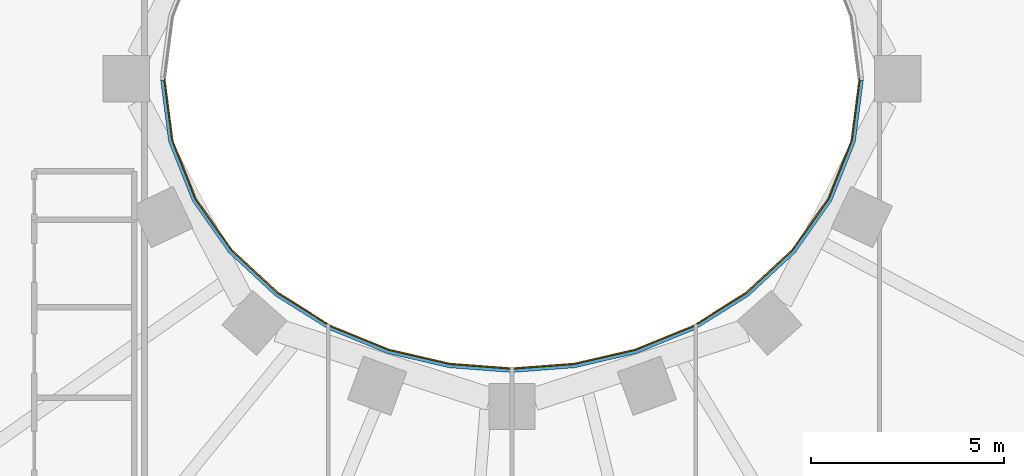
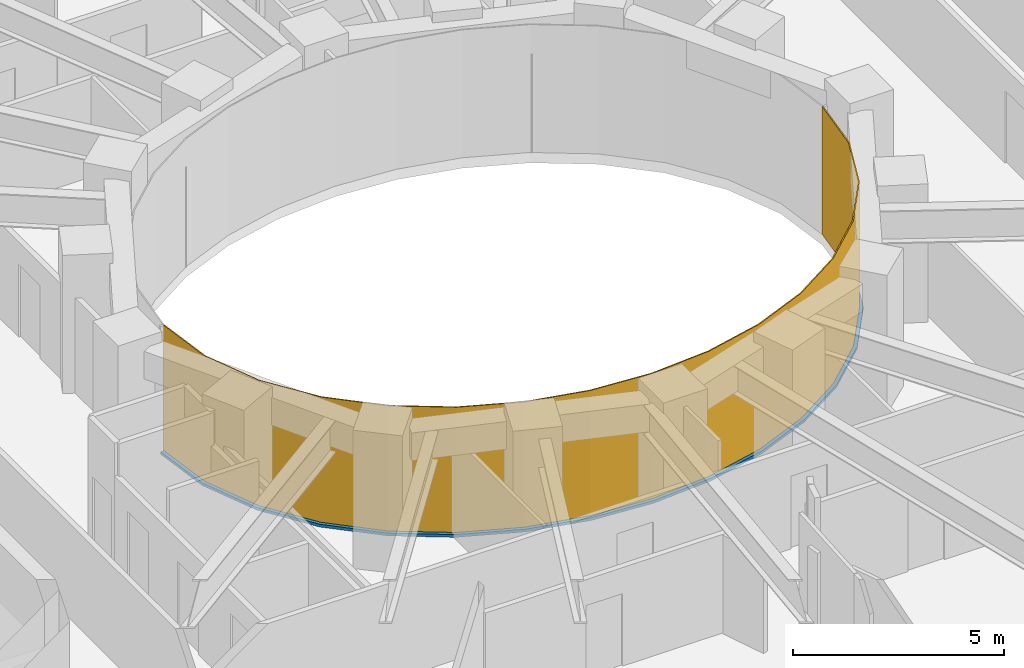
# One storey, part 11 of 20: 1 curtain wall, 1 member.
"""IFC4 building model written with IfcOpenShell, lengths in metres."""

from ifc_helpers import new_model, si_unit, direction, frame, origin, place, context, subcontext, project, spatial, polyline, outline, extrude, material, layer, layer_set, type_object, element, aggregate, save


model = new_model("IFC4")

# Units and contexts
model_context = context("Model", 3, precision=1e-05, world=origin(), true_north=direction((0.0, 1.0)))
body_context = subcontext(model_context, "Body", "Model", "MODEL_VIEW")
ifc_project = project(units=[si_unit("LENGTHUNIT", "METRE"), si_unit("AREAUNIT", "SQUARE_METRE"), si_unit("VOLUMEUNIT", "CUBIC_METRE"), si_unit("PLANEANGLEUNIT", "RADIAN"), si_unit("MASSUNIT", "GRAM", prefix="KILO")], contexts=[model_context])

# Member
ifc_material_1 = material(Name="Steel S355 fire-resisting frame", Category="steel")
member_type = type_object("IfcMemberType", Name="ENV-TRANSOM-W", PredefinedType="USERDEFINED", material=ifc_material_1)
site_placement = place(None, origin())
building_placement = place(site_placement, origin())
storey_placement = place(building_placement, frame((0.0, 0.0, 88.0)))
member_placement = place(storey_placement, origin())
member = element("IfcMember", 1, at=member_placement, type_object=member_type, Name="Transom W well 17-01", ObjectType="TRANSOM", PredefinedType="USERDEFINED", context=body_context, shape_type="SweptSolid", body=[
    extrude(outline(polyline([(-9.119384765625, -0.02783203125), (-8.910400390625, -1.63623046875), (-8.29833984375, -3.167236328125), (-7.35107421875, -4.5146484375), (-6.1455078125, -5.6337890625), (-4.75341796875, -6.50634765625), (-3.233642578125, -7.127685546875), (-1.635498046875, -7.498779296875), (0.0, -7.622314453125), (1.635498046875, -7.498779296875), (3.233642578125, -7.127685546875), (4.75341796875, -6.50634765625), (6.1455078125, -5.6337890625), (7.35107421875, -4.5146484375), (8.29833984375, -3.167236328125), (8.910400390625, -1.63623046875), (9.119384765625, -0.02783203125), (9.02880859375, -0.02783203125), (8.822509765625, -1.61328125), (8.21875, -3.124267578125), (7.282958984375, -4.455078125), (6.090576171875, -5.56201171875), (4.712158203125, -6.426025390625), (3.206298828125, -7.04150390625), (1.621826171875, -7.40966796875), (0.0, -7.531982421875), (-1.621826171875, -7.40966796875), (-3.206298828125, -7.04150390625), (-4.712158203125, -6.426025390625), (-6.090576171875, -5.56201171875), (-7.282958984375, -4.455078125), (-8.21875, -3.124267578125), (-8.822509765625, -1.61328125), (-9.02880859375, -0.02783203125), (-9.119384765625, -0.02783203125)])), origin(), (0.0, 0.0, 1.0), 0.080078125),
])

# Site, building, storey
site = spatial("IfcSite", under=ifc_project, at=site_placement, CompositionType="ELEMENT")
building = spatial("IfcBuilding", under=site, at=building_placement, Name="Noorbagh Ring Tower", CompositionType="ELEMENT")
storey = spatial("IfcBuildingStorey", under=building, at=storey_placement, Name="L19", CompositionType="ELEMENT", Elevation=88.0)

# Curtain wall
ifc_material_2 = material(Name="Glass fire-resisting E60 laminated", Category="glass")
ifc_layer = layer(ifc_material_2, 0.031982421875)
ifc_layer_set = layer_set([ifc_layer], Name="Glass fire-resisting E60 laminated")
curtain_wall_type = type_object("IfcCurtainWallType", Name="ENV-CW-W", PredefinedType="NOTDEFINED", material=ifc_layer_set)
curtain_wall_placement = place(storey_placement, origin())
curtain_wall = element("IfcCurtainWall", 2, at=curtain_wall_placement, inside=storey, type_object=curtain_wall_type, Name="Curtain wall W W17", PredefinedType="NOTDEFINED", context=body_context, shape_type="SweptSolid", body=[
    extrude(outline(polyline([(-9.0322265625, 0.0), (-8.822509765625, -1.61328125), (-8.21875, -3.124267578125), (-7.282958984375, -4.455078125), (-6.090576171875, -5.56201171875), (-4.712158203125, -6.426025390625), (-3.206298828125, -7.04150390625), (-1.621826171875, -7.40966796875), (0.0, -7.531982421875), (1.621826171875, -7.40966796875), (3.206298828125, -7.04150390625), (4.712158203125, -6.426025390625), (6.090576171875, -5.56201171875), (7.282958984375, -4.455078125), (8.21875, -3.124267578125), (8.822509765625, -1.61328125), (9.0322265625, 0.0), (9.0, 0.0), (8.79150390625, -1.605224609375), (8.1904296875, -3.10888671875), (7.2587890625, -4.43408203125), (6.071044921875, -5.53662109375), (4.697509765625, -6.3974609375), (3.196533203125, -7.010986328125), (1.6171875, -7.3779296875), (0.0, -7.5), (-1.6171875, -7.3779296875), (-3.196533203125, -7.010986328125), (-4.697509765625, -6.3974609375), (-6.071044921875, -5.53662109375), (-7.2587890625, -4.43408203125), (-8.1904296875, -3.10888671875), (-8.79150390625, -1.605224609375), (-9.0, 0.0), (-9.0322265625, 0.0)])), origin(), (0.0, 0.0, 1.0), 3.699951171875),
])

aggregate(curtain_wall, [member])

save(model, "model.ifc")
